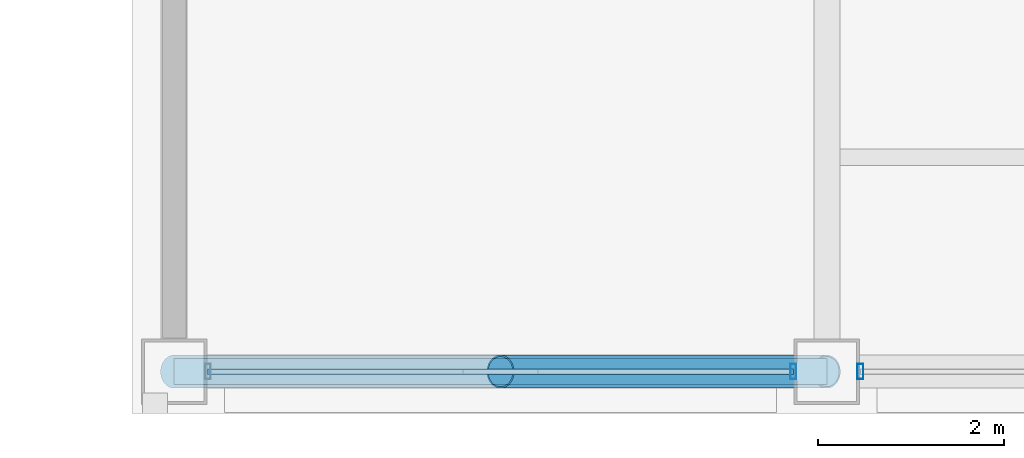
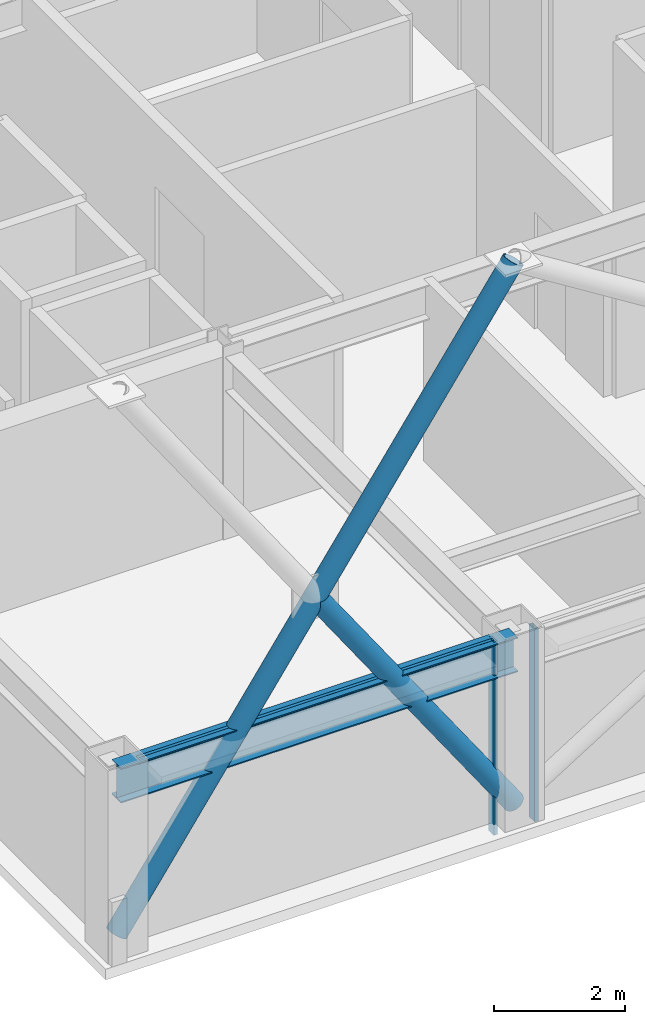
# One storey, part 4 of 33: 5 members, 1 beam, 2 elements without a shape of their own.
"""IFC4 building model written with IfcOpenShell, lengths in metres."""

from ifc_helpers import new_model, si_unit, direction, frame, origin, origin_2d, place, context, subcontext, project, spatial, hollow_rectangle, hollow_circle, i_section, extrude, material, layer, layer_set, material_profile, profile_set, type_object, element, aggregate, save


model = new_model("IFC4")

# Units and contexts
model_context = context("Model", 3, precision=1e-05, world=origin(), true_north=direction((0.0, 1.0)))
body_context = subcontext(model_context, "Body", "Model", "MODEL_VIEW")
ifc_project = project(units=[si_unit("LENGTHUNIT", "METRE"), si_unit("AREAUNIT", "SQUARE_METRE"), si_unit("VOLUMEUNIT", "CUBIC_METRE"), si_unit("PLANEANGLEUNIT", "RADIAN"), si_unit("MASSUNIT", "GRAM", prefix="KILO")], contexts=[model_context])

# Site, building, storey
site_placement = place(None, origin())
site = spatial("IfcSite", under=ifc_project, at=site_placement, CompositionType="ELEMENT")
building_placement = place(site_placement, origin())
building = spatial("IfcBuilding", under=site, at=building_placement, Name="Brelmoor Portico Tower", CompositionType="ELEMENT")
storey_placement = place(building_placement, frame((0.0, 0.0, 194.699951171875)))
storey = spatial("IfcBuildingStorey", under=building, at=storey_placement, Name="L51", CompositionType="ELEMENT", Elevation=194.699951171875)

# Beam
ifc_material_1 = material(Name="Steel Q355B", Category="steel")
ifc_material_profile_1 = material_profile(ifc_material_1, i_section(OverallWidth=0.280029296875, OverallDepth=0.64990234375, WebThickness=0.012939453125, FlangeThickness=0.02197265625, at=origin_2d()), Name="HN 650x280x13x22")
ifc_profile_set_1 = profile_set([ifc_material_profile_1], Name="Steel Q355B")
beam_type = type_object("IfcBeamType", Name="BM-SP-650", PredefinedType="SPANDREL", material=ifc_profile_set_1)
beam_placement = place(storey_placement, frame((-15.050048828125, -18.550048828125, 3.074951171875), z_axis=(1.0, 0.0, 0.0), x_axis=(0.0, 1.0, 0.0)))
element("IfcBeam", 1, at=beam_placement, inside=storey, type_object=beam_type, Name="L51 Perimeter Spandrel Beam SP-01", PredefinedType="SPANDREL", context=body_context, shape_type="SweptSolid", body=[
    extrude(i_section(OverallWidth=0.280029296875, OverallDepth=0.64990234375, WebThickness=0.012939453125, FlangeThickness=0.02197265625, at=origin_2d()), origin(), (0.0, 0.0, 1.0), 7.0),
])

# Members
ifc_material_profile_2 = material_profile(ifc_material_1, hollow_circle(Radius=0.177978515625, WallThickness=0.01611328125, at=origin_2d()), Name="CHS 356x16")
ifc_profile_set_2 = profile_set([ifc_material_profile_2], Name="Steel Q355B")
member_type_1 = type_object("IfcMemberType", Name="MB-BELT-DIAG2", PredefinedType="BRACE", material=ifc_profile_set_2)
member_1_placement = place(storey_placement, frame((-15.050048828125, -18.550048828125, 0.25), z_axis=(0.569629338867, 0.0, 0.821901707203), x_axis=(0.0, 1.0, 0.0)))
element("IfcMember", 2, at=member_1_placement, inside=storey, type_object=member_type_1, Name="L51 Continuous Mega-X Brace 116A", PredefinedType="BRACE", context=body_context, shape_type="SweptSolid", body=[
    extrude(hollow_circle(Radius=0.177978515625, WallThickness=0.01611328125, at=origin_2d()), origin(), (0.0, 0.0, 1.0), 12.28857421875),
])
member_2_placement = place(storey_placement, frame((-8.050048828125, -18.550048828125, 0.25), z_axis=(-0.569629338867, 0.0, 0.821901707203), x_axis=(0.0, -1.0, 0.0)))
element("IfcMember", 3, at=member_2_placement, inside=storey, type_object=member_type_1, Name="L51 Split Mega-X Brace 116B1", PredefinedType="BRACE", context=body_context, shape_type="SweptSolid", body=[
    extrude(hollow_circle(Radius=0.177978515625, WallThickness=0.01611328125, at=origin_2d()), origin(), (0.0, 0.0, 1.0), 6.144287109375),
])

# Curtain wall, member
ifc_material_2 = material(Name="Anodised Aluminium Alloy 6063-T6", Category="aluminium")
ifc_layer = layer(ifc_material_2, 0.179931640625)
ifc_layer_set = layer_set([ifc_layer], Name="Anodised Aluminium Alloy 6063-T6")
curtain_wall_type = type_object("IfcCurtainWallType", Name="CW-TOWER-Z3-XB", PredefinedType="NOTDEFINED", material=ifc_layer_set)
curtain_wall_1_placement = place(storey_placement, origin())
curtain_wall_1 = element("IfcCurtainWall", 4, at=curtain_wall_1_placement, inside=storey, type_object=curtain_wall_type, Name="L51 Curtain Wall CW-L51-01-1", PredefinedType="NOTDEFINED")
ifc_material_profile_3 = material_profile(ifc_material_2, hollow_rectangle(XDim=0.06494140625, YDim=0.1650390625, WallThickness=0.00390625, at=origin_2d()), Name="ALU MULLION 65x165")
ifc_profile_set_3 = profile_set([ifc_material_profile_3], Name="Anodised Aluminium Alloy 6063-T6")
member_type_2 = type_object("IfcMemberType", Name="MB-CW-MULL-165", PredefinedType="MULLION", material=ifc_profile_set_3)
member_3_placement = place(storey_placement, frame((-8.409912109375, -18.550048828125, -0.199951171875), z_axis=(0.0, 0.0, 1.0), x_axis=(1.0, 0.0, 0.0)))
member_3 = element("IfcMember", 5, at=member_3_placement, type_object=member_type_2, Name="CW-L51-01-1 Mullion 01", PredefinedType="MULLION", context=body_context, shape_type="SweptSolid", body=[
    extrude(hollow_rectangle(XDim=0.06494140625, YDim=0.1650390625, WallThickness=0.00390625, at=origin_2d()), origin(), (0.0, 0.0, 1.0), 3.60009765625),
])

curtain_wall_2_placement = place(storey_placement, origin())
curtain_wall_2 = element("IfcCurtainWall", 6, at=curtain_wall_2_placement, inside=storey, type_object=curtain_wall_type, Name="L51 Curtain Wall CW-L51-01-2", PredefinedType="NOTDEFINED")
member_4_placement = place(storey_placement, frame((-7.68994140625, -18.550048828125, -0.199951171875), z_axis=(0.0, 0.0, 1.0), x_axis=(1.0, 0.0, 0.0)))
member_4 = element("IfcMember", 7, at=member_4_placement, type_object=member_type_2, Name="CW-L51-01-2 Mullion 00", PredefinedType="MULLION", context=body_context, shape_type="SweptSolid", body=[
    extrude(hollow_rectangle(XDim=0.06494140625, YDim=0.1650390625, WallThickness=0.00390625, at=origin_2d()), origin(), (0.0, 0.0, 1.0), 3.60009765625),
])
aggregate(curtain_wall_2, [member_4])

# Member
ifc_material_profile_4 = material_profile(ifc_material_2, hollow_rectangle(XDim=0.06005859375, YDim=0.125, WallThickness=0.00341796875, at=origin_2d()), Name="ALU TRANSOM 60x125")
ifc_profile_set_4 = profile_set([ifc_material_profile_4], Name="Anodised Aluminium Alloy 6063-T6")
member_type_3 = type_object("IfcMemberType", Name="MB-CW-TRAN-125", PredefinedType="USERDEFINED", material=ifc_profile_set_4)
member_5_placement = place(storey_placement, frame((-14.68994140625, -18.550048828125, 3.337646484375), z_axis=(1.0, 0.0, 0.0), x_axis=(0.0, 1.0, 0.0)))
member_5 = element("IfcMember", 8, at=member_5_placement, type_object=member_type_3, Name="CW-L51-01-1 Transom 1-00", ObjectType="TRANSOM", PredefinedType="USERDEFINED", context=body_context, shape_type="SweptSolid", body=[
    extrude(hollow_rectangle(XDim=0.06005859375, YDim=0.125, WallThickness=0.00341796875, at=origin_2d()), origin(), (0.0, 0.0, 1.0), 6.280029296875),
])

aggregate(curtain_wall_1, [member_3, member_5])

save(model, "model.ifc")
